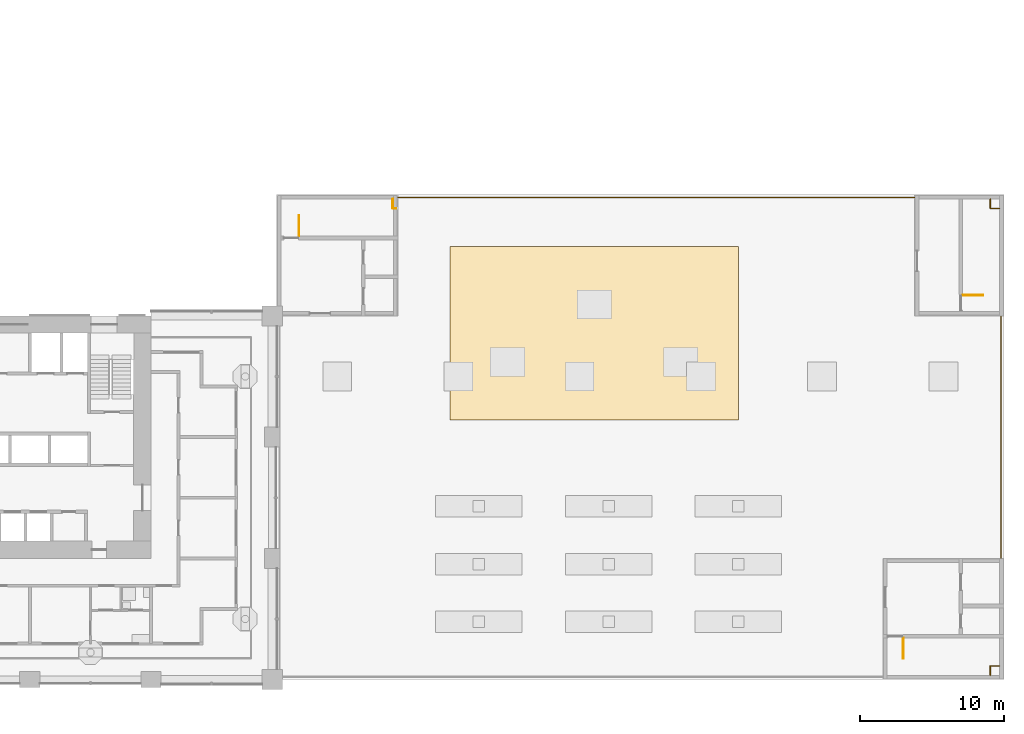
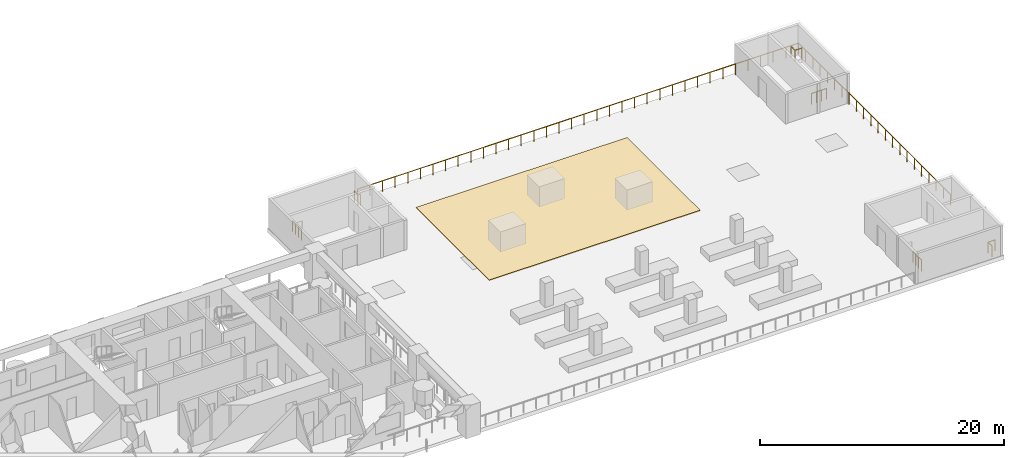
# One storey, part 20 of 23: 7 railings, 1 covering.
"""IFC4 building model written with IfcOpenShell, lengths in metres."""

from ifc_helpers import new_model, si_unit, direction, frame, origin, origin_2d, place, context, subcontext, project, spatial, polyline, circle, outline, extrude, material, layer, layer_set, type_object, element, save


model = new_model("IFC4")

# Units and contexts
model_context = context("Model", 3, precision=1e-05, world=origin(), true_north=direction((0.0, 1.0)))
body_context = subcontext(model_context, "Body", "Model", "MODEL_VIEW")
ifc_project = project(units=[si_unit("LENGTHUNIT", "METRE"), si_unit("AREAUNIT", "SQUARE_METRE"), si_unit("VOLUMEUNIT", "CUBIC_METRE"), si_unit("PLANEANGLEUNIT", "RADIAN"), si_unit("MASSUNIT", "GRAM", prefix="KILO")], contexts=[model_context])

# Site, building, storey
site_placement = place(None, origin())
site = spatial("IfcSite", under=ifc_project, at=site_placement, CompositionType="ELEMENT")
building_placement = place(site_placement, origin())
building = spatial("IfcBuilding", under=site, at=building_placement, Name="Vermilion Gate Residences", CompositionType="ELEMENT")
storey_placement = place(building_placement, frame((0.0, 0.0, 25.199951171875)))
storey = spatial("IfcBuildingStorey", under=building, at=storey_placement, Name="L04", CompositionType="ELEMENT", Elevation=25.199951171875)

# Covering
ifc_material_1 = material(Name="Rubber")
ifc_layer = layer(ifc_material_1, 0.050048828125)
ifc_layer_set = layer_set([ifc_layer], Name="PLAYGROUND SURFACING 50")
covering_type = type_object("IfcCoveringType", Name="PLAYGROUND SURFACING 50", PredefinedType="FLOORING", material=ifc_layer_set)
covering_placement = place(storey_placement, origin())
element("IfcCovering", 1, at=covering_placement, inside=storey, type_object=covering_type, Name="Playground surfacing", PredefinedType="FLOORING", context=body_context, shape_type="SweptSolid", body=[
    extrude(outline(polyline([(99.5, 18.0), (99.5, 30.0), (79.5, 30.0), (79.5, 18.0), (99.5, 18.0)])), origin(), (0.0, 0.0, 1.0), 0.050048828125),
])

# Railings
ifc_material_2 = material(Name="Steel", Category="steel")
railing_type = type_object("IfcRailingType", Name="STEEL GUARD 1100 (MARKET HALL)", PredefinedType="GUARDRAIL", material=ifc_material_2)
railing_1_placement = place(storey_placement, frame((75.77490234375, 32.64990234375, 0.0)))
element("IfcRailing", 2, at=railing_1_placement, inside=storey, type_object=railing_type, Name="Stair well end guard A L04", PredefinedType="GUARDRAIL", context=body_context, shape_type="SweptSolid", body=[
    extrude(circle(Radius=0.02490234375, at=origin_2d()), frame((0.0, 0.0, 1.0751953125), z_axis=(-1.0, 0.0, 0.0), x_axis=(0.0, -1.0, 0.0)), (0.0, 0.0, 1.0), 0.224853515625),
    extrude(circle(Radius=0.02490234375, at=origin_2d()), frame((-0.224853515625, 0.0, 1.0751953125), z_axis=(0.0, 1.0, 0.0), x_axis=(-1.0, 0.0, 0.0)), (0.0, 0.0, 1.0), 0.64990234375),
    extrude(circle(Radius=0.02001953125, at=origin_2d()), origin(), (0.0, 0.0, 1.0), 1.050048828125),
    extrude(circle(Radius=0.02001953125, at=origin_2d()), frame((-0.224853515625, 0.0, 0.0)), (0.0, 0.0, 1.0), 1.050048828125),
    extrude(circle(Radius=0.02001953125, at=origin_2d()), frame((-0.224853515625, 0.64990234375, 0.0)), (0.0, 0.0, 1.0), 1.050048828125),
])
railing_2_placement = place(storey_placement, frame((116.949951171875, 0.300048828125, 0.0)))
element("IfcRailing", 3, at=railing_2_placement, inside=storey, type_object=railing_type, Name="Stair well end guard B L04", PredefinedType="GUARDRAIL", context=body_context, shape_type="SweptSolid", body=[
    extrude(circle(Radius=0.02490234375, at=origin_2d()), frame((0.0, 0.0, 1.0751953125), z_axis=(0.0, 1.0, 0.0), x_axis=(-1.0, 0.0, 0.0)), (0.0, 0.0, 1.0), 0.64990234375),
    extrude(circle(Radius=0.02490234375, at=origin_2d()), frame((0.0, 0.64990234375, 1.0751953125), z_axis=(1.0, 0.0, 0.0), x_axis=(0.0, 1.0, 0.0)), (0.0, 0.0, 1.0), 0.64990234375),
    extrude(circle(Radius=0.02001953125, at=origin_2d()), origin(), (0.0, 0.0, 1.0), 1.050048828125),
    extrude(circle(Radius=0.02001953125, at=origin_2d()), frame((0.0, 0.64990234375, 0.0)), (0.0, 0.0, 1.0), 1.050048828125),
    extrude(circle(Radius=0.02001953125, at=origin_2d()), frame((0.64990234375, 0.64990234375, 0.0)), (0.0, 0.0, 1.0), 1.050048828125),
])
railing_3_placement = place(storey_placement, frame((117.599853515625, 32.64990234375, 0.0)))
element("IfcRailing", 4, at=railing_3_placement, inside=storey, type_object=railing_type, Name="Stair well end guard C L04", PredefinedType="GUARDRAIL", context=body_context, shape_type="SweptSolid", body=[
    extrude(circle(Radius=0.02490234375, at=origin_2d()), frame((0.0, 0.0, 1.0751953125), z_axis=(-1.0, 0.0, 0.0), x_axis=(0.0, -1.0, 0.0)), (0.0, 0.0, 1.0), 0.64990234375),
    extrude(circle(Radius=0.02490234375, at=origin_2d()), frame((-0.64990234375, 0.0, 1.0751953125), z_axis=(0.0, 1.0, 0.0), x_axis=(-1.0, 0.0, 0.0)), (0.0, 0.0, 1.0), 0.64990234375),
    extrude(circle(Radius=0.02001953125, at=origin_2d()), origin(), (0.0, 0.0, 1.0), 1.050048828125),
    extrude(circle(Radius=0.02001953125, at=origin_2d()), frame((-0.64990234375, 0.0, 0.0)), (0.0, 0.0, 1.0), 1.050048828125),
    extrude(circle(Radius=0.02001953125, at=origin_2d()), frame((-0.64990234375, 0.64990234375, 0.0)), (0.0, 0.0, 1.0), 1.050048828125),
])
railing_4_placement = place(storey_placement, frame((117.699951171875, 8.39990234375, 0.0)))
element("IfcRailing", 5, at=railing_4_placement, inside=storey, type_object=railing_type, Name="Roof terrace guard 2", PredefinedType="GUARDRAIL", context=body_context, shape_type="SweptSolid", body=[
    extrude(circle(Radius=0.02490234375, at=origin_2d()), frame((0.0, 0.0, 1.0751953125), z_axis=(0.0, 1.0, 0.0), x_axis=(-1.0, 0.0, 0.0)), (0.0, 0.0, 1.0), 25.0),
    extrude(circle(Radius=0.02490234375, at=origin_2d()), frame((0.0, 25.0, 1.0751953125), z_axis=(-1.0, 0.0, 0.0), x_axis=(0.0, -1.0, 0.0)), (0.0, 0.0, 1.0), 41.800048828125),
    extrude(circle(Radius=0.02001953125, at=origin_2d()), origin(), (0.0, 0.0, 1.0), 1.050048828125),
    extrude(circle(Radius=0.02001953125, at=origin_2d()), frame((0.0, 1.1904296875, 0.0)), (0.0, 0.0, 1.0), 1.050048828125),
    extrude(circle(Radius=0.02001953125, at=origin_2d()), frame((0.0, 2.380859375, 0.0)), (0.0, 0.0, 1.0), 1.050048828125),
    extrude(circle(Radius=0.02001953125, at=origin_2d()), frame((0.0, 3.571533203125, 0.0)), (0.0, 0.0, 1.0), 1.050048828125),
    extrude(circle(Radius=0.02001953125, at=origin_2d()), frame((0.0, 4.761962890625, 0.0)), (0.0, 0.0, 1.0), 1.050048828125),
    extrude(circle(Radius=0.02001953125, at=origin_2d()), frame((0.0, 5.952392578125, 0.0)), (0.0, 0.0, 1.0), 1.050048828125),
    extrude(circle(Radius=0.02001953125, at=origin_2d()), frame((0.0, 7.142822265625, 0.0)), (0.0, 0.0, 1.0), 1.050048828125),
    extrude(circle(Radius=0.02001953125, at=origin_2d()), frame((0.0, 8.333251953125, 0.0)), (0.0, 0.0, 1.0), 1.050048828125),
    extrude(circle(Radius=0.02001953125, at=origin_2d()), frame((0.0, 9.52392578125, 0.0)), (0.0, 0.0, 1.0), 1.050048828125),
    extrude(circle(Radius=0.02001953125, at=origin_2d()), frame((0.0, 10.71435546875, 0.0)), (0.0, 0.0, 1.0), 1.050048828125),
    extrude(circle(Radius=0.02001953125, at=origin_2d()), frame((0.0, 11.90478515625, 0.0)), (0.0, 0.0, 1.0), 1.050048828125),
    extrude(circle(Radius=0.02001953125, at=origin_2d()), frame((0.0, 13.09521484375, 0.0)), (0.0, 0.0, 1.0), 1.050048828125),
    extrude(circle(Radius=0.02001953125, at=origin_2d()), frame((0.0, 14.28564453125, 0.0)), (0.0, 0.0, 1.0), 1.050048828125),
    extrude(circle(Radius=0.02001953125, at=origin_2d()), frame((0.0, 15.47607421875, 0.0)), (0.0, 0.0, 1.0), 1.050048828125),
    extrude(circle(Radius=0.02001953125, at=origin_2d()), frame((0.0, 16.666748046875, 0.0)), (0.0, 0.0, 1.0), 1.050048828125),
    extrude(circle(Radius=0.02001953125, at=origin_2d()), frame((0.0, 17.857177734375, 0.0)), (0.0, 0.0, 1.0), 1.050048828125),
    extrude(circle(Radius=0.02001953125, at=origin_2d()), frame((0.0, 19.047607421875, 0.0)), (0.0, 0.0, 1.0), 1.050048828125),
    extrude(circle(Radius=0.02001953125, at=origin_2d()), frame((0.0, 20.238037109375, 0.0)), (0.0, 0.0, 1.0), 1.050048828125),
    extrude(circle(Radius=0.02001953125, at=origin_2d()), frame((0.0, 21.428466796875, 0.0)), (0.0, 0.0, 1.0), 1.050048828125),
    extrude(circle(Radius=0.02001953125, at=origin_2d()), frame((0.0, 22.619140625, 0.0)), (0.0, 0.0, 1.0), 1.050048828125),
    extrude(circle(Radius=0.02001953125, at=origin_2d()), frame((0.0, 23.8095703125, 0.0)), (0.0, 0.0, 1.0), 1.050048828125),
    extrude(circle(Radius=0.02001953125, at=origin_2d()), frame((0.0, 25.0, 0.0)), (0.0, 0.0, 1.0), 1.050048828125),
    extrude(circle(Radius=0.02001953125, at=origin_2d()), frame((-1.1943359375, 25.0, 0.0)), (0.0, 0.0, 1.0), 1.050048828125),
    extrude(circle(Radius=0.02001953125, at=origin_2d()), frame((-2.388671875, 25.0, 0.0)), (0.0, 0.0, 1.0), 1.050048828125),
    extrude(circle(Radius=0.02001953125, at=origin_2d()), frame((-3.582763671875, 25.0, 0.0)), (0.0, 0.0, 1.0), 1.050048828125),
    extrude(circle(Radius=0.02001953125, at=origin_2d()), frame((-4.777099609375, 25.0, 0.0)), (0.0, 0.0, 1.0), 1.050048828125),
    extrude(circle(Radius=0.02001953125, at=origin_2d()), frame((-5.971435546875, 25.0, 0.0)), (0.0, 0.0, 1.0), 1.050048828125),
    extrude(circle(Radius=0.02001953125, at=origin_2d()), frame((-7.165771484375, 25.0, 0.0)), (0.0, 0.0, 1.0), 1.050048828125),
    extrude(circle(Radius=0.02001953125, at=origin_2d()), frame((-8.360107421875, 25.0, 0.0)), (0.0, 0.0, 1.0), 1.050048828125),
    extrude(circle(Radius=0.02001953125, at=origin_2d()), frame((-9.55419921875, 25.0, 0.0)), (0.0, 0.0, 1.0), 1.050048828125),
    extrude(circle(Radius=0.02001953125, at=origin_2d()), frame((-10.74853515625, 25.0, 0.0)), (0.0, 0.0, 1.0), 1.050048828125),
    extrude(circle(Radius=0.02001953125, at=origin_2d()), frame((-11.94287109375, 25.0, 0.0)), (0.0, 0.0, 1.0), 1.050048828125),
    extrude(circle(Radius=0.02001953125, at=origin_2d()), frame((-13.13720703125, 25.0, 0.0)), (0.0, 0.0, 1.0), 1.050048828125),
    extrude(circle(Radius=0.02001953125, at=origin_2d()), frame((-14.33154296875, 25.0, 0.0)), (0.0, 0.0, 1.0), 1.050048828125),
    extrude(circle(Radius=0.02001953125, at=origin_2d()), frame((-15.525634765625, 25.0, 0.0)), (0.0, 0.0, 1.0), 1.050048828125),
    extrude(circle(Radius=0.02001953125, at=origin_2d()), frame((-16.719970703125, 25.0, 0.0)), (0.0, 0.0, 1.0), 1.050048828125),
    extrude(circle(Radius=0.02001953125, at=origin_2d()), frame((-17.914306640625, 25.0, 0.0)), (0.0, 0.0, 1.0), 1.050048828125),
    extrude(circle(Radius=0.02001953125, at=origin_2d()), frame((-19.108642578125, 25.0, 0.0)), (0.0, 0.0, 1.0), 1.050048828125),
    extrude(circle(Radius=0.02001953125, at=origin_2d()), frame((-20.302978515625, 25.0, 0.0)), (0.0, 0.0, 1.0), 1.050048828125),
    extrude(circle(Radius=0.02001953125, at=origin_2d()), frame((-21.4970703125, 25.0, 0.0)), (0.0, 0.0, 1.0), 1.050048828125),
    extrude(circle(Radius=0.02001953125, at=origin_2d()), frame((-22.69140625, 25.0, 0.0)), (0.0, 0.0, 1.0), 1.050048828125),
    extrude(circle(Radius=0.02001953125, at=origin_2d()), frame((-23.8857421875, 25.0, 0.0)), (0.0, 0.0, 1.0), 1.050048828125),
    extrude(circle(Radius=0.02001953125, at=origin_2d()), frame((-25.080078125, 25.0, 0.0)), (0.0, 0.0, 1.0), 1.050048828125),
    extrude(circle(Radius=0.02001953125, at=origin_2d()), frame((-26.2744140625, 25.0, 0.0)), (0.0, 0.0, 1.0), 1.050048828125),
    extrude(circle(Radius=0.02001953125, at=origin_2d()), frame((-27.468505859375, 25.0, 0.0)), (0.0, 0.0, 1.0), 1.050048828125),
    extrude(circle(Radius=0.02001953125, at=origin_2d()), frame((-28.662841796875, 25.0, 0.0)), (0.0, 0.0, 1.0), 1.050048828125),
    extrude(circle(Radius=0.02001953125, at=origin_2d()), frame((-29.857177734375, 25.0, 0.0)), (0.0, 0.0, 1.0), 1.050048828125),
    extrude(circle(Radius=0.02001953125, at=origin_2d()), frame((-31.051513671875, 25.0, 0.0)), (0.0, 0.0, 1.0), 1.050048828125),
    extrude(circle(Radius=0.02001953125, at=origin_2d()), frame((-32.245849609375, 25.0, 0.0)), (0.0, 0.0, 1.0), 1.050048828125),
    extrude(circle(Radius=0.02001953125, at=origin_2d()), frame((-33.43994140625, 25.0, 0.0)), (0.0, 0.0, 1.0), 1.050048828125),
    extrude(circle(Radius=0.02001953125, at=origin_2d()), frame((-34.63427734375, 25.0, 0.0)), (0.0, 0.0, 1.0), 1.050048828125),
    extrude(circle(Radius=0.02001953125, at=origin_2d()), frame((-35.82861328125, 25.0, 0.0)), (0.0, 0.0, 1.0), 1.050048828125),
    extrude(circle(Radius=0.02001953125, at=origin_2d()), frame((-37.02294921875, 25.0, 0.0)), (0.0, 0.0, 1.0), 1.050048828125),
    extrude(circle(Radius=0.02001953125, at=origin_2d()), frame((-38.21728515625, 25.0, 0.0)), (0.0, 0.0, 1.0), 1.050048828125),
    extrude(circle(Radius=0.02001953125, at=origin_2d()), frame((-39.411376953125, 25.0, 0.0)), (0.0, 0.0, 1.0), 1.050048828125),
    extrude(circle(Radius=0.02001953125, at=origin_2d()), frame((-40.605712890625, 25.0, 0.0)), (0.0, 0.0, 1.0), 1.050048828125),
    extrude(circle(Radius=0.02001953125, at=origin_2d()), frame((-41.800048828125, 25.0, 0.0)), (0.0, 0.0, 1.0), 1.050048828125),
])
railing_5_placement = place(storey_placement, frame((69.050048828125, 30.72509765625, 0.0)))
element("IfcRailing", 6, at=railing_5_placement, inside=storey, type_object=railing_type, Name="Stair well guard A", PredefinedType="GUARDRAIL", context=body_context, shape_type="SweptSolid", body=[
    extrude(circle(Radius=0.02490234375, at=origin_2d()), frame((0.0, 0.0, 1.0751953125), z_axis=(0.0, 1.0, 0.0), x_axis=(-1.0, 0.0, 0.0)), (0.0, 0.0, 1.0), 1.4248046875),
    extrude(circle(Radius=0.02001953125, at=origin_2d()), origin(), (0.0, 0.0, 1.0), 1.050048828125),
    extrude(circle(Radius=0.02001953125, at=origin_2d()), frame((0.0, 0.474853515625, 0.0)), (0.0, 0.0, 1.0), 1.050048828125),
    extrude(circle(Radius=0.02001953125, at=origin_2d()), frame((0.0, 0.949951171875, 0.0)), (0.0, 0.0, 1.0), 1.050048828125),
    extrude(circle(Radius=0.02001953125, at=origin_2d()), frame((0.0, 1.4248046875, 0.0)), (0.0, 0.0, 1.0), 1.050048828125),
])
railing_6_placement = place(storey_placement, frame((110.925048828125, 2.875, 0.0)))
element("IfcRailing", 7, at=railing_6_placement, inside=storey, type_object=railing_type, Name="Stair well guard B", PredefinedType="GUARDRAIL", context=body_context, shape_type="SweptSolid", body=[
    extrude(circle(Radius=0.02490234375, at=origin_2d()), frame((0.0, 0.0, 1.0751953125), z_axis=(0.0, -1.0, 0.0), x_axis=(1.0, 0.0, 0.0)), (0.0, 0.0, 1.0), 1.425048828125),
    extrude(circle(Radius=0.02001953125, at=origin_2d()), origin(), (0.0, 0.0, 1.0), 1.050048828125),
    extrude(circle(Radius=0.02001953125, at=origin_2d()), frame((0.0, -0.47509765625, 0.0)), (0.0, 0.0, 1.0), 1.050048828125),
    extrude(circle(Radius=0.02001953125, at=origin_2d()), frame((0.0, -0.949951171875, 0.0)), (0.0, 0.0, 1.0), 1.050048828125),
    extrude(circle(Radius=0.02001953125, at=origin_2d()), frame((0.0, -1.425048828125, 0.0)), (0.0, 0.0, 1.0), 1.050048828125),
])
railing_7_placement = place(storey_placement, frame((115.02490234375, 26.625, 0.0)))
element("IfcRailing", 8, at=railing_7_placement, inside=storey, type_object=railing_type, Name="Stair well guard C", PredefinedType="GUARDRAIL", context=body_context, shape_type="SweptSolid", body=[
    extrude(circle(Radius=0.02490234375, at=origin_2d()), frame((0.0, 0.0, 1.0751953125), z_axis=(1.0, 0.0, 0.0), x_axis=(0.0, 1.0, 0.0)), (0.0, 0.0, 1.0), 1.425048828125),
    extrude(circle(Radius=0.02001953125, at=origin_2d()), origin(), (0.0, 0.0, 1.0), 1.050048828125),
    extrude(circle(Radius=0.02001953125, at=origin_2d()), frame((0.47509765625, 0.0, 0.0)), (0.0, 0.0, 1.0), 1.050048828125),
    extrude(circle(Radius=0.02001953125, at=origin_2d()), frame((0.949951171875, 0.0, 0.0)), (0.0, 0.0, 1.0), 1.050048828125),
    extrude(circle(Radius=0.02001953125, at=origin_2d()), frame((1.425048828125, 0.0, 0.0)), (0.0, 0.0, 1.0), 1.050048828125),
])

save(model, "model.ifc")
